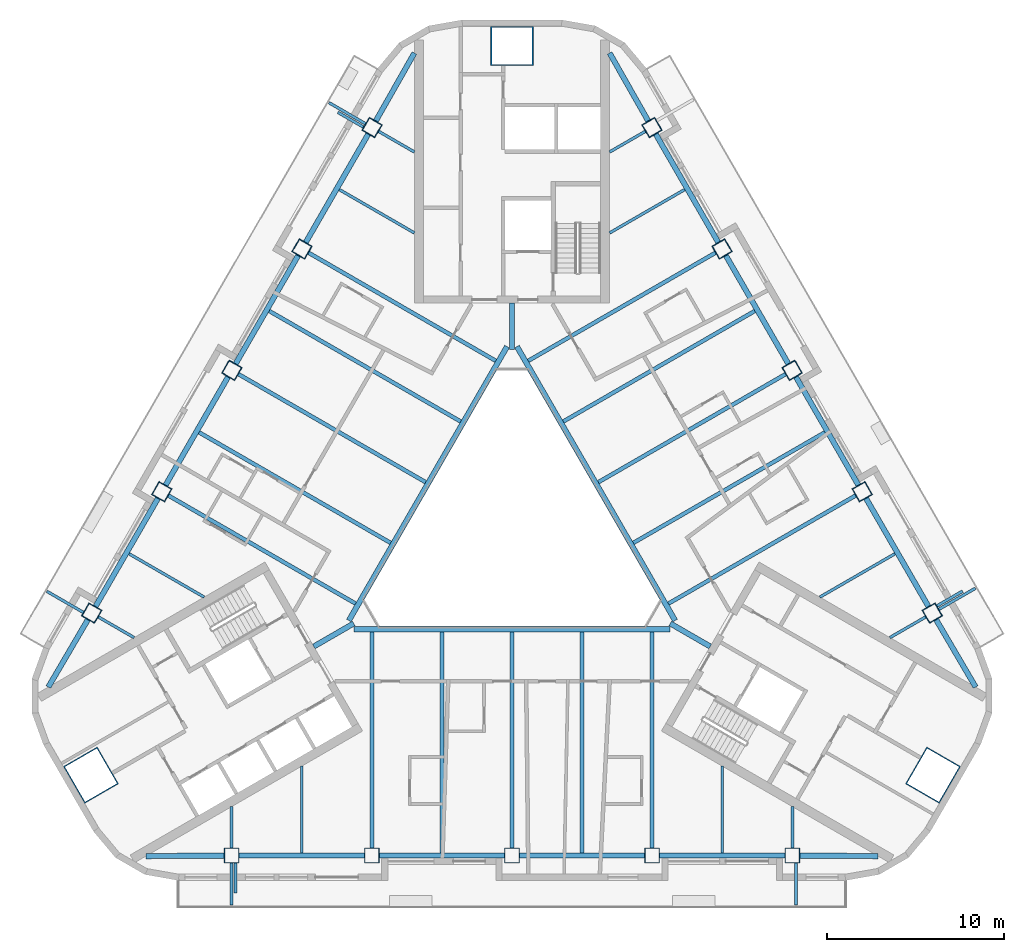
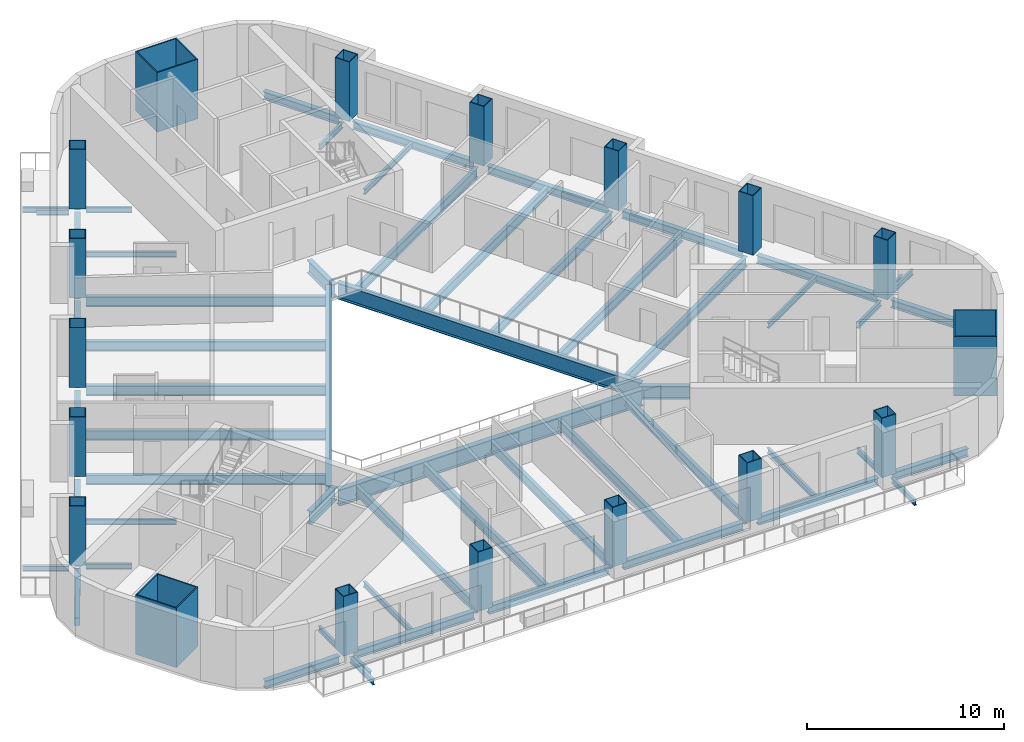
# One storey, part 1 of 14: 59 beams, 18 columns.
"""IFC4 building model written with IfcOpenShell, lengths in metres."""

import ifcopenshell
import ifcopenshell.guid

model = None  # the IFC model being written
_history = None  # IfcOwnerHistory: only IFC2X3 demands one
_inside = {}  # id of a spatial element -> (the spatial element, [elements in it])
_under = {}  # id of a project, library or spatial element -> (it, [spatial elements below it])
_declared = {}  # id of a project -> (the project, [libraries it declares])
_typed = {}  # id of a type object -> (the type object, [elements of that type])
_made_of = {}  # id of a material, layer set ... -> (it, [elements and type objects made of it])


def new_model(schema):
    """Start an empty IFC model of exactly this schema.

    Asked for "IFC4X3", IfcOpenShell would pick the latest addendum, in which some entities
    have other attributes; the version numbers below select the first issue.
    IFC2X3 requires an IfcOwnerHistory on every rooted entity: one is made here for all.
    """
    global model, _history
    if schema == "IFC4X3":
        model = ifcopenshell.file(schema_version=(4, 3, 0, 0))
    else:
        model = ifcopenshell.file(schema=schema)
    _inside.clear()
    _under.clear()
    _declared.clear()
    _typed.clear()
    _made_of.clear()
    _history = None
    if model.schema == "IFC2X3":
        org = make("IfcOrganization", Name="unknown")
        user = make(
            "IfcPersonAndOrganization",
            ThePerson=make("IfcPerson", FamilyName="unknown"),
            TheOrganization=org,
        )
        app = make(
            "IfcApplication",
            ApplicationDeveloper=org,
            Version="unknown",
            ApplicationFullName="unknown",
            ApplicationIdentifier="unknown",
        )
        _history = make(
            "IfcOwnerHistory",
            OwningUser=user,
            OwningApplication=app,
            ChangeAction="ADDED",
            CreationDate=0,
        )
    return model


def make(cls, **values):
    """One entity of the class cls with the attributes given. An attribute that is None is left unset."""
    return model.create_entity(
        cls, **{name: value for name, value in values.items() if value is not None}
    )


def rooted(cls, **values):
    """An entity with a GlobalId (a new one), such as an element, a storey or a relation."""
    return make(cls, GlobalId=ifcopenshell.guid.new(), OwnerHistory=_history, **values)


def si_unit(unit_type, name, prefix=None):
    """IfcSIUnit, for example si_unit("LENGTHUNIT", "METRE", prefix="MILLI")."""
    return make("IfcSIUnit", UnitType=unit_type, Prefix=prefix, Name=name)


def assignment(units):
    """IfcUnitAssignment: the units of a project."""
    return None if units is None else make("IfcUnitAssignment", Units=units)


def point(xyz):
    """IfcCartesianPoint."""
    return None if xyz is None else make("IfcCartesianPoint", Coordinates=xyz)


def direction(xyz):
    """IfcDirection."""
    return None if xyz is None else make("IfcDirection", DirectionRatios=xyz)


def frame(location, z_axis=None, x_axis=None):
    """IfcAxis2Placement3D, a coordinate frame: its origin and axes. An axis left out is left unset."""
    return make(
        "IfcAxis2Placement3D",
        Location=point(location),
        Axis=direction(z_axis),
        RefDirection=direction(x_axis),
    )


def frame_2d(location, x_axis=None):
    """IfcAxis2Placement2D, a coordinate frame in the plane: its origin and x axis."""
    return make(
        "IfcAxis2Placement2D", Location=point(location), RefDirection=direction(x_axis)
    )


def origin():
    """The frame at (0, 0, 0) with its axes left unset."""
    return frame((0.0, 0.0, 0.0))


def origin_2d():
    """The frame at (0, 0) in the plane with its x axis left unset."""
    return frame_2d((0.0, 0.0))


def place(relative_to, where):
    """IfcLocalPlacement: puts the frame where relative to a parent placement (None: the world)."""
    return make(
        "IfcLocalPlacement", PlacementRelTo=relative_to, RelativePlacement=where
    )


def context(
    kind, dimensions, precision=None, world=None, true_north=None, identifier=None
):
    """IfcGeometricRepresentationContext, for example the 3D "Model" context."""
    return make(
        "IfcGeometricRepresentationContext",
        ContextIdentifier=identifier,
        ContextType=kind,
        CoordinateSpaceDimension=dimensions,
        Precision=precision,
        WorldCoordinateSystem=world,
        TrueNorth=true_north,
    )


def subcontext(parent, identifier, kind, view, scale=None):
    """IfcGeometricRepresentationSubContext, for example "Body" below "Model"."""
    return make(
        "IfcGeometricRepresentationSubContext",
        ContextIdentifier=identifier,
        ContextType=kind,
        ParentContext=parent,
        TargetScale=scale,
        TargetView=view,
    )


def project(units=None, contexts=None):
    """IfcProject with its units and contexts."""
    return rooted(
        "IfcProject",
        Name="project",
        RepresentationContexts=contexts,
        UnitsInContext=assignment(units),
    )


def spatial(cls, under=None, at=None, **own):
    """A site, building, storey or space (cls), placed at a placement, below another one or the project."""
    s = rooted(cls, ObjectPlacement=at, **own)
    if under is not None:
        _under.setdefault(under.id(), (under, []))[1].append(s)
    return s


def profile(cls, at=None, kind="AREA", **sizes):
    """A parametric profile (cls). Its sizes go by their IFC names, for example OverallWidth=200.0."""
    return make(cls, ProfileType=kind, Position=at, **sizes)


def rectangle(**sizes):
    """IfcRectangleProfileDef."""
    return profile("IfcRectangleProfileDef", **sizes)


def hollow_rectangle(**sizes):
    """IfcRectangleHollowProfileDef."""
    return profile("IfcRectangleHollowProfileDef", **sizes)


def i_section(**sizes):
    """IfcIShapeProfileDef."""
    return profile("IfcIShapeProfileDef", **sizes)


def extrude(swept, where, along, depth):
    """IfcExtrudedAreaSolid: the profile swept, set in the frame where, extruded along a direction by depth."""
    return make(
        "IfcExtrudedAreaSolid",
        SweptArea=swept,
        Position=where,
        ExtrudedDirection=direction(along),
        Depth=depth,
    )


def shape(context_of_items, identifier, shape_type, items):
    """IfcShapeRepresentation: the items that make up one representation, for example the "Body"."""
    return make(
        "IfcShapeRepresentation",
        ContextOfItems=context_of_items,
        RepresentationIdentifier=identifier,
        RepresentationType=shape_type,
        Items=items,
    )


def material(Name=None, Category=None):
    """IfcMaterial."""
    return make("IfcMaterial", Name=Name, Category=Category)


def material_profile(
    of_material, cross_section, Name=None, Category=None, Priority=None
):
    """IfcMaterialProfile: a cross section and its material."""
    return make(
        "IfcMaterialProfile",
        Name=Name,
        Material=of_material,
        Profile=cross_section,
        Priority=Priority,
        Category=Category,
    )


def profile_set(profiles, Name=None, composite=None):
    """IfcMaterialProfileSet."""
    return make(
        "IfcMaterialProfileSet",
        Name=Name,
        MaterialProfiles=profiles,
        CompositeProfile=composite,
    )


def made_of(thing, what):
    """Note that an element or type object is made of a material, layer set ...; save() writes the relation."""
    if what is not None:
        _made_of.setdefault(what.id(), (what, []))[1].append(thing)
    return thing


def type_object(cls, material=None, **own):
    """A type object (cls), such as IfcWallType, which elements share."""
    return made_of(rooted(cls, **own), material)


def element(
    cls,
    number,
    at=None,
    inside=None,
    cuts=None,
    type_object=None,
    material=None,
    context=None,
    identifier="Body",
    shape_type=None,
    held_by="IfcProductDefinitionShape",
    body=None,
    shapes=None,
    **own,
):
    """One element of the class cls, such as IfcWall. Its Tag is "e" and its number.

    at: its placement. inside: the storey or other place that contains it. cuts: it is an
    opening in that element (IfcRelVoidsElement). A single representation is given by context,
    identifier, shape_type and body (its items); several are given by shapes. held_by: the class
    of the entity that holds the representations. save() writes the other relations.
    """
    e = rooted(cls, Tag="e%d" % number, ObjectPlacement=at, **own)
    if body is not None:
        shapes = [shape(context, identifier, shape_type, body)]
    if shapes is not None:
        e.Representation = make(held_by, Representations=shapes)
    if inside is not None:
        _inside.setdefault(inside.id(), (inside, []))[1].append(e)
    if cuts is not None:
        rooted(
            "IfcRelVoidsElement", RelatingBuildingElement=cuts, RelatedOpeningElement=e
        )
    if type_object is not None:
        _typed.setdefault(type_object.id(), (type_object, []))[1].append(e)
    return made_of(e, material)


def aggregate(whole, parts):
    """IfcRelAggregates: a whole, such as a stair, and the parts it consists of."""
    return rooted("IfcRelAggregates", RelatingObject=whole, RelatedObjects=parts)


def save(model, path):
    """Write the relations noted so far, then the file.

    IfcRelAggregates (storeys below a building ...), IfcRelContainedInSpatialStructure (elements
    in a storey), IfcRelDefinesByType, IfcRelAssociatesMaterial and IfcRelDeclares: one each for
    every whole, place, type object, material and project.
    """
    for whole, parts in _under.values():
        aggregate(whole, parts)
    for where, things in _inside.values():
        rooted(
            "IfcRelContainedInSpatialStructure",
            RelatedElements=things,
            RelatingStructure=where,
        )
    for kind, things in _typed.values():
        rooted("IfcRelDefinesByType", RelatedObjects=things, RelatingType=kind)
    for what, things in _made_of.values():
        rooted("IfcRelAssociatesMaterial", RelatedObjects=things, RelatingMaterial=what)
    for by, libraries in _declared.values():
        rooted("IfcRelDeclares", RelatingContext=by, RelatedDefinitions=libraries)
    model.write(path)


model = new_model("IFC4")

# Units and contexts
model_context = context("Model", 3, precision=1e-05, world=origin(), true_north=direction((0.0, 1.0)))
body_context = subcontext(model_context, "Body", "Model", "MODEL_VIEW")
ifc_project = project(units=[si_unit("LENGTHUNIT", "METRE"), si_unit("AREAUNIT", "SQUARE_METRE"), si_unit("VOLUMEUNIT", "CUBIC_METRE"), si_unit("PLANEANGLEUNIT", "RADIAN"), si_unit("MASSUNIT", "GRAM", prefix="KILO")], contexts=[model_context])

# Site, building, storey
site_placement = place(None, origin())
site = spatial("IfcSite", under=ifc_project, at=site_placement, CompositionType="ELEMENT")
building_placement = place(site_placement, origin())
building = spatial("IfcBuilding", under=site, at=building_placement, Name="Apuvela Tower Hotel", CompositionType="ELEMENT")
storey_placement = place(building_placement, frame((0.0, 0.0, 172.5)))
storey = spatial("IfcBuildingStorey", under=building, at=storey_placement, Name="L41", CompositionType="ELEMENT", Elevation=172.5)

# Columns
ifc_material_1 = material(Name="Steel S460", Category="steel")
ifc_material_profile_1 = material_profile(ifc_material_1, hollow_rectangle(XDim=2.39990234375, YDim=2.199951171875, WallThickness=0.06005859375, at=origin_2d()), Name="BOX 2400x2200x60")
ifc_material_2 = material(Name="Concrete C80/95", Category="concrete")
ifc_material_profile_2 = material_profile(ifc_material_2, rectangle(XDim=2.280029296875, YDim=2.080078125, at=origin_2d()), Name="Concrete C80/95 infill")
ifc_profile_set_1 = profile_set([ifc_material_profile_1, ifc_material_profile_2], Name="Steel S460")
column_type_1 = type_object("IfcColumnType", Name="STR-MC mega column BOX 2400x2200x60", PredefinedType="COLUMN", material=ifc_profile_set_1)
for number, where, z_axis, x_axis, name in (
    (1, (0.0, 27.39990234375, 0.0), (0.0, 0.0, 1.0), (1.0, 0.0, 0.0), "Mega column MC3 N"),
    (2, (-23.72900390625, -13.699951171875, 0.0), (0.0, 0.0, 1.0), (-0.5, 0.866025403784, 0.0), "Mega column MC3 SW"),
    (3, (23.72900390625, -13.699951171875, 0.0), (0.0, 0.0, 1.0), (0.5, 0.866025403784, 0.0), "Mega column MC3 SE"),
):
    element("IfcColumn", number, at=place(storey_placement, frame(where, z_axis=z_axis, x_axis=x_axis)), inside=storey, type_object=column_type_1, Name=name, PredefinedType="COLUMN", context=body_context, shape_type="SweptSolid", body=[
        extrude(hollow_rectangle(XDim=2.39990234375, YDim=2.199951171875, WallThickness=0.06005859375, at=origin_2d()), origin(), (0.0, 0.0, 1.0), 3.699951171875),
    ])
ifc_material_profile_3 = material_profile(ifc_material_1, hollow_rectangle(XDim=0.85009765625, YDim=0.85009765625, WallThickness=0.0400390625, at=origin_2d()), Name="BOX 850x850x40")
ifc_material_profile_4 = material_profile(ifc_material_2, rectangle(XDim=0.77001953125, YDim=0.77001953125, at=origin_2d()), Name="Concrete C80/95 infill")
ifc_profile_set_2 = profile_set([ifc_material_profile_3, ifc_material_profile_4], Name="Steel S460")
column_type_2 = type_object("IfcColumnType", Name="STR-PC perimeter column BOX 850x850x40", PredefinedType="COLUMN", material=ifc_profile_set_2)
for number, where, z_axis, x_axis, name in (
    (4, (-15.800048828125, -18.22998046875, 0.0), (0.0, 0.0, 1.0), (-1.0, 0.0, 0.0), "Perimeter column C4 S1"),
    (5, (-7.89990234375, -18.22998046875, 0.0), (0.0, 0.0, 1.0), (-1.0, 0.0, 0.0), "Perimeter column C4 S2"),
    (6, (0.0, -18.22998046875, 0.0), (0.0, 0.0, 1.0), (-1.0, 0.0, 0.0), "Perimeter column C4 S3"),
    (7, (7.89990234375, -18.22998046875, 0.0), (0.0, 0.0, 1.0), (-1.0, 0.0, 0.0), "Perimeter column C4 S4"),
    (8, (15.800048828125, -18.22998046875, 0.0), (0.0, 0.0, 1.0), (-1.0, 0.0, 0.0), "Perimeter column C4 S5"),
    (9, (23.6875, -4.568115234375, 0.0), (0.0, 0.0, 1.0), (-0.5, 0.866025403784, 0.0), "Perimeter column C4 NE1"),
    (10, (19.737548828125, 2.2734375, 0.0), (0.0, 0.0, 1.0), (-0.5, 0.866025403784, 0.0), "Perimeter column C4 NE2"),
    (11, (15.78759765625, 9.114990234375, 0.0), (0.0, 0.0, 1.0), (-0.5, 0.866025403784, 0.0), "Perimeter column C4 NE3"),
    (12, (11.837646484375, 15.95654296875, 0.0), (0.0, 0.0, 1.0), (-0.5, 0.866025403784, 0.0), "Perimeter column C4 NE4"),
    (13, (7.8876953125, 22.798095703125, 0.0), (0.0, 0.0, 1.0), (-0.5, 0.866025403784, 0.0), "Perimeter column C4 NE5"),
    (14, (-7.8876953125, 22.798095703125, 0.0), (0.0, 0.0, 1.0), (0.5, 0.866025403784, 0.0), "Perimeter column C4 NW1"),
    (15, (-11.837646484375, 15.95654296875, 0.0), (0.0, 0.0, 1.0), (0.5, 0.866025403784, 0.0), "Perimeter column C4 NW2"),
    (16, (-15.78759765625, 9.114990234375, 0.0), (0.0, 0.0, 1.0), (0.5, 0.866025403784, 0.0), "Perimeter column C4 NW3"),
    (17, (-19.737548828125, 2.2734375, 0.0), (0.0, 0.0, 1.0), (0.5, 0.866025403784, 0.0), "Perimeter column C4 NW4"),
    (18, (-23.6875, -4.568115234375, 0.0), (0.0, 0.0, 1.0), (0.5, 0.866025403784, 0.0), "Perimeter column C4 NW5"),
):
    element("IfcColumn", number, at=place(storey_placement, frame(where, z_axis=z_axis, x_axis=x_axis)), inside=storey, type_object=column_type_2, Name=name, PredefinedType="COLUMN", context=body_context, shape_type="SweptSolid", body=[
        extrude(hollow_rectangle(XDim=0.85009765625, YDim=0.85009765625, WallThickness=0.0400390625, at=origin_2d()), origin(), (0.0, 0.0, 1.0), 3.699951171875),
    ])

# Beams
ifc_material_3 = material(Name="Steel S355", Category="steel")
ifc_material_profile_5 = material_profile(ifc_material_3, i_section(OverallWidth=0.159912109375, OverallDepth=0.330078125, WebThickness=0.007568359375, FlangeThickness=0.011474609375, at=origin_2d()), Name="IPE 330")
ifc_profile_set_3 = profile_set([ifc_material_profile_5], Name="Steel S355")
beam_type_1 = type_object("IfcBeamType", Name="ENV-BALCONY-BEAM-IPE330", PredefinedType="BEAM", material=ifc_profile_set_3)
beam_1_placement = place(storey_placement, frame((-15.800048828125, -18.655029296875, -0.31494140625), z_axis=(0.0, -1.0, 0.0), x_axis=(1.0, 0.0, 0.0)))
element("IfcBeam", 19, at=beam_1_placement, inside=storey, type_object=beam_type_1, Name="Balcony cantilever beam S1 L41", PredefinedType="BEAM", context=body_context, shape_type="SweptSolid", body=[
    extrude(i_section(OverallWidth=0.159912109375, OverallDepth=0.330078125, WebThickness=0.007568359375, FlangeThickness=0.011474609375, at=origin_2d()), origin(), (0.0, 0.0, 1.0), 2.375),
])
beam_2_placement = place(storey_placement, frame((-15.580078125, -18.655029296875, -0.31494140625), z_axis=(0.0, -1.0, 0.0), x_axis=(1.0, 0.0, 0.0)))
element("IfcBeam", 20, at=beam_2_placement, inside=storey, type_object=beam_type_1, Name="Balcony cantilever beam S2 L41", PredefinedType="BEAM", context=body_context, shape_type="SweptSolid", body=[
    extrude(i_section(OverallWidth=0.159912109375, OverallDepth=0.330078125, WebThickness=0.007568359375, FlangeThickness=0.011474609375, at=origin_2d()), origin(), (0.0, 0.0, 1.0), 1.675048828125),
])
for number, where, z_axis, x_axis, name in (
    (21, (16.0, -18.655029296875, -0.31494140625), (0.0, -1.0, 0.0), (1.0, 0.0, 0.0), "Balcony cantilever beam S3 L41"),
    (22, (24.0556640625, -4.355712890625, -0.31494140625), (0.866033238375, 0.499986429846, 0.0), (-0.499986429846, 0.866033238375, 0.0), "Balcony cantilever beam NE1 L41"),
):
    element("IfcBeam", number, at=place(storey_placement, frame(where, z_axis=z_axis, x_axis=x_axis)), inside=storey, type_object=beam_type_1, Name=name, PredefinedType="BEAM", context=body_context, shape_type="SweptSolid", body=[
        extrude(i_section(OverallWidth=0.159912109375, OverallDepth=0.330078125, WebThickness=0.007568359375, FlangeThickness=0.011474609375, at=origin_2d()), origin(), (0.0, 0.0, 1.0), 2.375),
    ])
beam_3_placement = place(storey_placement, frame((23.94580078125, -4.165283203125, -0.31494140625), z_axis=(0.865964676353, 0.500105168249, 0.0), x_axis=(-0.500105168249, 0.865964676353, 0.0)))
element("IfcBeam", 23, at=beam_3_placement, inside=storey, type_object=beam_type_1, Name="Balcony cantilever beam NE2 L41", PredefinedType="BEAM", context=body_context, shape_type="SweptSolid", body=[
    extrude(i_section(OverallWidth=0.159912109375, OverallDepth=0.330078125, WebThickness=0.007568359375, FlangeThickness=0.011474609375, at=origin_2d()), origin(), (0.0, 0.0, 1.0), 1.675048828125),
])
beam_4_placement = place(storey_placement, frame((-8.255615234375, 23.0107421875, -0.31494140625), z_axis=(-0.866033238375, 0.499986429846, 0.0), x_axis=(-0.499986429846, -0.866033238375, 0.0)))
element("IfcBeam", 24, at=beam_4_placement, inside=storey, type_object=beam_type_1, Name="Balcony cantilever beam NW1 L41", PredefinedType="BEAM", context=body_context, shape_type="SweptSolid", body=[
    extrude(i_section(OverallWidth=0.159912109375, OverallDepth=0.330078125, WebThickness=0.007568359375, FlangeThickness=0.011474609375, at=origin_2d()), origin(), (0.0, 0.0, 1.0), 2.375),
])
beam_5_placement = place(storey_placement, frame((-8.36572265625, 22.8203125, -0.31494140625), z_axis=(-0.866064234506, 0.499932737185, 0.0), x_axis=(-0.499932737185, -0.866064234506, 0.0)))
element("IfcBeam", 25, at=beam_5_placement, inside=storey, type_object=beam_type_1, Name="Balcony cantilever beam NW2 L41", PredefinedType="BEAM", context=body_context, shape_type="SweptSolid", body=[
    extrude(i_section(OverallWidth=0.159912109375, OverallDepth=0.330078125, WebThickness=0.007568359375, FlangeThickness=0.011474609375, at=origin_2d()), origin(), (0.0, 0.0, 1.0), 1.675048828125),
])
beam_6_placement = place(storey_placement, frame((-24.15576171875, -4.52880859375, -0.31494140625), z_axis=(-0.866007538022, 0.500030943131, 0.0), x_axis=(-0.500030943131, -0.866007538022, 0.0)))
element("IfcBeam", 26, at=beam_6_placement, inside=storey, type_object=beam_type_1, Name="Balcony cantilever beam NW3 L41", PredefinedType="BEAM", context=body_context, shape_type="SweptSolid", body=[
    extrude(i_section(OverallWidth=0.159912109375, OverallDepth=0.330078125, WebThickness=0.007568359375, FlangeThickness=0.011474609375, at=origin_2d()), origin(), (0.0, 0.0, 1.0), 2.374755859375),
])
ifc_material_profile_6 = material_profile(ifc_material_3, i_section(OverallWidth=0.159912109375, OverallDepth=0.330078125, WebThickness=0.007568359375, FlangeThickness=0.011474609375, at=origin_2d()), Name="IPE 330")
ifc_profile_set_4 = profile_set([ifc_material_profile_6], Name="Steel S355")
beam_type_2 = type_object("IfcBeamType", Name="STR-B floor beam IPE 330", PredefinedType="BEAM", material=ifc_profile_set_4)
beam_7_placement = place(storey_placement, frame((23.319580078125, -4.78076171875, -0.31494140625), z_axis=(-0.866018215049, -0.500012451049, 0.0), x_axis=(0.500012451049, -0.866018215049, 0.0)))
element("IfcBeam", 27, at=beam_7_placement, inside=storey, type_object=beam_type_2, Name="Floor beam B1 NE1", PredefinedType="BEAM", context=body_context, shape_type="SweptSolid", body=[
    extrude(i_section(OverallWidth=0.159912109375, OverallDepth=0.330078125, WebThickness=0.007568359375, FlangeThickness=0.011474609375, at=origin_2d()), origin(), (0.0, 0.0, 1.0), 2.33203125),
])
for number, where, z_axis, x_axis, name in (
    (28, (21.582763671875, -1.222412109375, -0.31494140625), (-0.866015056278, -0.500017921979, 0.0), (0.500017921979, -0.866015056278, 0.0), "Floor beam B1 NE2"),
    (29, (9.732666015625, 19.302490234375, -0.31494140625), (-0.866015056278, -0.500017921979, 0.0), (0.500017921979, -0.866015056278, 0.0), "Floor beam B1 NE8"),
):
    element("IfcBeam", number, at=place(storey_placement, frame(where, z_axis=z_axis, x_axis=x_axis)), inside=storey, type_object=beam_type_2, Name=name, PredefinedType="BEAM", context=body_context, shape_type="SweptSolid", body=[
        extrude(i_section(OverallWidth=0.159912109375, OverallDepth=0.330078125, WebThickness=0.007568359375, FlangeThickness=0.011474609375, at=origin_2d()), origin(), (0.0, 0.0, 1.0), 4.887451171875),
    ])
for number, where, z_axis, x_axis, name in (
    (30, (7.51953125, 22.585693359375, -0.31494140625), (-0.866018215049, -0.500012451049, 0.0), (0.500012451049, -0.866018215049, 0.0), "Floor beam B1 NE9"),
    (31, (-7.51953125, 22.585693359375, -0.31494140625), (0.866018215049, -0.500012451049, 0.0), (0.500012451049, 0.866018215049, 0.0), "Floor beam B1 NW1"),
):
    element("IfcBeam", number, at=place(storey_placement, frame(where, z_axis=z_axis, x_axis=x_axis)), inside=storey, type_object=beam_type_2, Name=name, PredefinedType="BEAM", context=body_context, shape_type="SweptSolid", body=[
        extrude(i_section(OverallWidth=0.159912109375, OverallDepth=0.330078125, WebThickness=0.007568359375, FlangeThickness=0.011474609375, at=origin_2d()), origin(), (0.0, 0.0, 1.0), 2.33203125),
    ])
for number, where, z_axis, x_axis, name in (
    (32, (-9.732666015625, 19.302490234375, -0.31494140625), (0.866015056278, -0.500017921979, 0.0), (0.500017921979, 0.866015056278, 0.0), "Floor beam B1 NW2"),
    (33, (-21.582763671875, -1.222412109375, -0.31494140625), (0.866015056278, -0.500017921979, 0.0), (0.500017921979, 0.866015056278, 0.0), "Floor beam B1 NW8"),
):
    element("IfcBeam", number, at=place(storey_placement, frame(where, z_axis=z_axis, x_axis=x_axis)), inside=storey, type_object=beam_type_2, Name=name, PredefinedType="BEAM", context=body_context, shape_type="SweptSolid", body=[
        extrude(i_section(OverallWidth=0.159912109375, OverallDepth=0.330078125, WebThickness=0.007568359375, FlangeThickness=0.011474609375, at=origin_2d()), origin(), (0.0, 0.0, 1.0), 4.887451171875),
    ])
for number, where, z_axis, x_axis, name in (
    (34, (-23.319580078125, -4.78076171875, -0.31494140625), (0.866018215049, -0.500012451049, 0.0), (0.500012451049, 0.866018215049, 0.0), "Floor beam B1 NW9"),
    (35, (-15.800048828125, -17.804931640625, -0.31494140625), (0.0, 1.0, 0.0), (-1.0, 0.0, 0.0), "Floor beam B1 S1"),
):
    element("IfcBeam", number, at=place(storey_placement, frame(where, z_axis=z_axis, x_axis=x_axis)), inside=storey, type_object=beam_type_2, Name=name, PredefinedType="BEAM", context=body_context, shape_type="SweptSolid", body=[
        extrude(i_section(OverallWidth=0.159912109375, OverallDepth=0.330078125, WebThickness=0.007568359375, FlangeThickness=0.011474609375, at=origin_2d()), origin(), (0.0, 0.0, 1.0), 2.33203125),
    ])
for number, where, z_axis, x_axis, name in (
    (36, (-11.85009765625, -18.080078125, -0.31494140625), (0.0, 1.0, 0.0), (-1.0, 0.0, 0.0), "Floor beam B1 S2"),
    (37, (11.85009765625, -18.080078125, -0.31494140625), (0.0, 1.0, 0.0), (-1.0, 0.0, 0.0), "Floor beam B1 S8"),
):
    element("IfcBeam", number, at=place(storey_placement, frame(where, z_axis=z_axis, x_axis=x_axis)), inside=storey, type_object=beam_type_2, Name=name, PredefinedType="BEAM", context=body_context, shape_type="SweptSolid", body=[
        extrude(i_section(OverallWidth=0.159912109375, OverallDepth=0.330078125, WebThickness=0.007568359375, FlangeThickness=0.011474609375, at=origin_2d()), origin(), (0.0, 0.0, 1.0), 4.8876953125),
    ])
beam_8_placement = place(storey_placement, frame((15.800048828125, -17.804931640625, -0.31494140625), z_axis=(0.0, 1.0, 0.0), x_axis=(-1.0, 0.0, 0.0)))
element("IfcBeam", 38, at=beam_8_placement, inside=storey, type_object=beam_type_2, Name="Floor beam B1 S9", PredefinedType="BEAM", context=body_context, shape_type="SweptSolid", body=[
    extrude(i_section(OverallWidth=0.159912109375, OverallDepth=0.330078125, WebThickness=0.007568359375, FlangeThickness=0.011474609375, at=origin_2d()), origin(), (0.0, 0.0, 1.0), 2.33203125),
])
ifc_material_profile_7 = material_profile(ifc_material_3, i_section(OverallWidth=0.219970703125, OverallDepth=0.60009765625, WebThickness=0.011962890625, FlangeThickness=0.01904296875, at=origin_2d()), Name="IPE 600")
ifc_profile_set_5 = profile_set([ifc_material_profile_7], Name="Steel S355")
beam_type_3 = type_object("IfcBeamType", Name="STR-B floor beam IPE 600", PredefinedType="BEAM", material=ifc_profile_set_5)
beam_9_placement = place(storey_placement, frame((19.36962890625, 2.060791015625, -0.449951171875), z_axis=(-0.866032437209, -0.499987817553, 0.0), x_axis=(0.499987817553, -0.866032437209, 0.0)))
element("IfcBeam", 39, at=beam_9_placement, inside=storey, type_object=beam_type_3, Name="Floor beam B8 NE3", PredefinedType="BEAM", context=body_context, shape_type="SweptSolid", body=[
    extrude(i_section(OverallWidth=0.219970703125, OverallDepth=0.60009765625, WebThickness=0.011962890625, FlangeThickness=0.01904296875, at=origin_2d()), origin(), (0.0, 0.0, 1.0), 12.184814453125),
])
beam_10_placement = place(storey_placement, frame((17.6328125, 5.619140625, -0.449951171875), z_axis=(-0.866027987673, -0.499995524547, 0.0), x_axis=(0.499995524547, -0.866027987673, 0.0)))
element("IfcBeam", 40, at=beam_10_placement, inside=storey, type_object=beam_type_3, Name="Floor beam B8 NE4", PredefinedType="BEAM", context=body_context, shape_type="SweptSolid", body=[
    extrude(i_section(OverallWidth=0.219970703125, OverallDepth=0.60009765625, WebThickness=0.011962890625, FlangeThickness=0.01904296875, at=origin_2d()), origin(), (0.0, 0.0, 1.0), 12.4599609375),
])
beam_11_placement = place(storey_placement, frame((15.419677734375, 8.902587890625, -0.449951171875), z_axis=(-0.8660237613, -0.500002844856, 0.0), x_axis=(0.500002844856, -0.8660237613, 0.0)))
element("IfcBeam", 41, at=beam_11_placement, inside=storey, type_object=beam_type_3, Name="Floor beam B8 NE5", PredefinedType="BEAM", context=body_context, shape_type="SweptSolid", body=[
    extrude(i_section(OverallWidth=0.219970703125, OverallDepth=0.60009765625, WebThickness=0.011962890625, FlangeThickness=0.01904296875, at=origin_2d()), origin(), (0.0, 0.0, 1.0), 12.18505859375),
])
beam_12_placement = place(storey_placement, frame((13.6826171875, 12.460693359375, -0.449951171875), z_axis=(-0.866023089177, -0.500004008996, 0.0), x_axis=(0.500004008996, -0.866023089177, 0.0)))
element("IfcBeam", 42, at=beam_12_placement, inside=storey, type_object=beam_type_3, Name="Floor beam B8 NE6", PredefinedType="BEAM", context=body_context, shape_type="SweptSolid", body=[
    extrude(i_section(OverallWidth=0.219970703125, OverallDepth=0.60009765625, WebThickness=0.011962890625, FlangeThickness=0.01904296875, at=origin_2d()), origin(), (0.0, 0.0, 1.0), 12.4599609375),
])
for number, where, z_axis, x_axis, name in (
    (43, (11.469482421875, 15.744140625, -0.449951171875), (-0.8660237613, -0.500002844856, 0.0), (0.500002844856, -0.8660237613, 0.0), "Floor beam B8 NE7"),
    (44, (-11.469482421875, 15.744140625, -0.449951171875), (0.8660237613, -0.500002844856, 0.0), (0.500002844856, 0.8660237613, 0.0), "Floor beam B8 NW3"),
):
    element("IfcBeam", number, at=place(storey_placement, frame(where, z_axis=z_axis, x_axis=x_axis)), inside=storey, type_object=beam_type_3, Name=name, PredefinedType="BEAM", context=body_context, shape_type="SweptSolid", body=[
        extrude(i_section(OverallWidth=0.219970703125, OverallDepth=0.60009765625, WebThickness=0.011962890625, FlangeThickness=0.01904296875, at=origin_2d()), origin(), (0.0, 0.0, 1.0), 12.18505859375),
    ])
beam_13_placement = place(storey_placement, frame((-13.6826171875, 12.460693359375, -0.449951171875), z_axis=(0.866023089177, -0.500004008996, 0.0), x_axis=(0.500004008996, 0.866023089177, 0.0)))
element("IfcBeam", 45, at=beam_13_placement, inside=storey, type_object=beam_type_3, Name="Floor beam B8 NW4", PredefinedType="BEAM", context=body_context, shape_type="SweptSolid", body=[
    extrude(i_section(OverallWidth=0.219970703125, OverallDepth=0.60009765625, WebThickness=0.011962890625, FlangeThickness=0.01904296875, at=origin_2d()), origin(), (0.0, 0.0, 1.0), 12.4599609375),
])
beam_14_placement = place(storey_placement, frame((-15.419677734375, 8.902587890625, -0.449951171875), z_axis=(0.8660237613, -0.500002844856, 0.0), x_axis=(0.500002844856, 0.8660237613, 0.0)))
element("IfcBeam", 46, at=beam_14_placement, inside=storey, type_object=beam_type_3, Name="Floor beam B8 NW5", PredefinedType="BEAM", context=body_context, shape_type="SweptSolid", body=[
    extrude(i_section(OverallWidth=0.219970703125, OverallDepth=0.60009765625, WebThickness=0.011962890625, FlangeThickness=0.01904296875, at=origin_2d()), origin(), (0.0, 0.0, 1.0), 12.18505859375),
])
beam_15_placement = place(storey_placement, frame((-17.6328125, 5.619140625, -0.449951171875), z_axis=(0.866027987673, -0.499995524547, 0.0), x_axis=(0.499995524547, 0.866027987673, 0.0)))
element("IfcBeam", 47, at=beam_15_placement, inside=storey, type_object=beam_type_3, Name="Floor beam B8 NW6", PredefinedType="BEAM", context=body_context, shape_type="SweptSolid", body=[
    extrude(i_section(OverallWidth=0.219970703125, OverallDepth=0.60009765625, WebThickness=0.011962890625, FlangeThickness=0.01904296875, at=origin_2d()), origin(), (0.0, 0.0, 1.0), 12.4599609375),
])
for number, where, z_axis, x_axis, name in (
    (48, (-19.36962890625, 2.060791015625, -0.449951171875), (0.866032437209, -0.499987817553, 0.0), (0.499987817553, 0.866032437209, 0.0), "Floor beam B8 NW7"),
    (49, (-7.89990234375, -17.804931640625, -0.449951171875), (0.0, 1.0, 0.0), (-1.0, 0.0, 0.0), "Floor beam B8 S3"),
):
    element("IfcBeam", number, at=place(storey_placement, frame(where, z_axis=z_axis, x_axis=x_axis)), inside=storey, type_object=beam_type_3, Name=name, PredefinedType="BEAM", context=body_context, shape_type="SweptSolid", body=[
        extrude(i_section(OverallWidth=0.219970703125, OverallDepth=0.60009765625, WebThickness=0.011962890625, FlangeThickness=0.01904296875, at=origin_2d()), origin(), (0.0, 0.0, 1.0), 12.184814453125),
    ])
beam_16_placement = place(storey_placement, frame((-3.949951171875, -18.080078125, -0.449951171875), z_axis=(0.0, 1.0, 0.0), x_axis=(-1.0, 0.0, 0.0)))
element("IfcBeam", 50, at=beam_16_placement, inside=storey, type_object=beam_type_3, Name="Floor beam B8 S4", PredefinedType="BEAM", context=body_context, shape_type="SweptSolid", body=[
    extrude(i_section(OverallWidth=0.219970703125, OverallDepth=0.60009765625, WebThickness=0.011962890625, FlangeThickness=0.01904296875, at=origin_2d()), origin(), (0.0, 0.0, 1.0), 12.4599609375),
])
beam_17_placement = place(storey_placement, frame((0.0, -17.804931640625, -0.449951171875), z_axis=(0.0, 1.0, 0.0), x_axis=(-1.0, 0.0, 0.0)))
element("IfcBeam", 51, at=beam_17_placement, inside=storey, type_object=beam_type_3, Name="Floor beam B8 S5", PredefinedType="BEAM", context=body_context, shape_type="SweptSolid", body=[
    extrude(i_section(OverallWidth=0.219970703125, OverallDepth=0.60009765625, WebThickness=0.011962890625, FlangeThickness=0.01904296875, at=origin_2d()), origin(), (0.0, 0.0, 1.0), 12.184814453125),
])
beam_18_placement = place(storey_placement, frame((3.949951171875, -18.080078125, -0.449951171875), z_axis=(0.0, 1.0, 0.0), x_axis=(-1.0, 0.0, 0.0)))
element("IfcBeam", 52, at=beam_18_placement, inside=storey, type_object=beam_type_3, Name="Floor beam B8 S6", PredefinedType="BEAM", context=body_context, shape_type="SweptSolid", body=[
    extrude(i_section(OverallWidth=0.219970703125, OverallDepth=0.60009765625, WebThickness=0.011962890625, FlangeThickness=0.01904296875, at=origin_2d()), origin(), (0.0, 0.0, 1.0), 12.4599609375),
])
beam_19_placement = place(storey_placement, frame((7.89990234375, -17.804931640625, -0.449951171875), z_axis=(0.0, 1.0, 0.0), x_axis=(-1.0, 0.0, 0.0)))
element("IfcBeam", 53, at=beam_19_placement, inside=storey, type_object=beam_type_3, Name="Floor beam B8 S7", PredefinedType="BEAM", context=body_context, shape_type="SweptSolid", body=[
    extrude(i_section(OverallWidth=0.219970703125, OverallDepth=0.60009765625, WebThickness=0.011962890625, FlangeThickness=0.01904296875, at=origin_2d()), origin(), (0.0, 0.0, 1.0), 12.184814453125),
])
ifc_material_profile_8 = material_profile(ifc_material_3, i_section(OverallWidth=0.300048828125, OverallDepth=1.0, WebThickness=0.01904296875, FlangeThickness=0.035888671875, at=origin_2d()), Name="HE 1000 B")
ifc_profile_set_6 = profile_set([ifc_material_profile_8], Name="Steel S355")
beam_type_4 = type_object("IfcBeamType", Name="STR-G atrium ring girder HE 1000 B", PredefinedType="BEAM", material=ifc_profile_set_6)
beam_20_placement = place(storey_placement, frame((-0.27978515625, 10.455078125, -0.64990234375), z_axis=(-0.500006541319, -0.866021627119, 0.0), x_axis=(0.866021627119, -0.500006541319, 0.0)))
element("IfcBeam", 54, at=beam_20_placement, inside=storey, type_object=beam_type_4, Name="Atrium ring girder G2 N-SW", PredefinedType="BEAM", context=body_context, shape_type="SweptSolid", body=[
    extrude(i_section(OverallWidth=0.300048828125, OverallDepth=1.0, WebThickness=0.01904296875, FlangeThickness=0.035888671875, at=origin_2d()), origin(), (0.0, 0.0, 1.0), 17.828857421875),
])
beam_21_placement = place(storey_placement, frame((-8.91455078125, -5.469970703125, -0.64990234375), z_axis=(1.0, 0.0, 0.0), x_axis=(0.0, 1.0, 0.0)))
element("IfcBeam", 55, at=beam_21_placement, inside=storey, type_object=beam_type_4, Name="Atrium ring girder G2 SW-SE", PredefinedType="BEAM", context=body_context, shape_type="SweptSolid", body=[
    extrude(i_section(OverallWidth=0.300048828125, OverallDepth=1.0, WebThickness=0.01904296875, FlangeThickness=0.035888671875, at=origin_2d()), origin(), (0.0, 0.0, 1.0), 17.8291015625),
])
beam_22_placement = place(storey_placement, frame((9.1943359375, -4.985107421875, -0.64990234375), z_axis=(-0.500006541319, 0.866021627119, 0.0), x_axis=(-0.866021627119, -0.500006541319, 0.0)))
element("IfcBeam", 56, at=beam_22_placement, inside=storey, type_object=beam_type_4, Name="Atrium ring girder G2 SE-N", PredefinedType="BEAM", context=body_context, shape_type="SweptSolid", body=[
    extrude(i_section(OverallWidth=0.300048828125, OverallDepth=1.0, WebThickness=0.01904296875, FlangeThickness=0.035888671875, at=origin_2d()), origin(), (0.0, 0.0, 1.0), 17.828857421875),
])
ifc_material_profile_9 = material_profile(ifc_material_3, i_section(OverallWidth=0.300048828125, OverallDepth=0.800048828125, WebThickness=0.017578125, FlangeThickness=0.032958984375, at=origin_2d()), Name="HE 800 B")
ifc_profile_set_7 = profile_set([ifc_material_profile_9], Name="Steel S355")
beam_type_5 = type_object("IfcBeamType", Name="STR-GT core tie beam HE 800 B", PredefinedType="BEAM", material=ifc_profile_set_7)
for number, where, z_axis, x_axis, name in (
    (57, (0.0, 12.89990234375, -0.550048828125), (0.0, -1.0, 0.0), (1.0, 0.0, 0.0), "Core tie beam GT1 N"),
    (58, (-11.171630859375, -6.449951171875, -0.550048828125), (0.865997922154, 0.500047596559, 0.0), (-0.500047596559, 0.865997922154, 0.0), "Core tie beam GT1 SW"),
    (59, (11.171630859375, -6.449951171875, -0.550048828125), (-0.865997922154, 0.500047596559, 0.0), (-0.500047596559, -0.865997922154, 0.0), "Core tie beam GT1 SE"),
):
    element("IfcBeam", number, at=place(storey_placement, frame(where, z_axis=z_axis, x_axis=x_axis)), inside=storey, type_object=beam_type_5, Name=name, PredefinedType="BEAM", context=body_context, shape_type="SweptSolid", body=[
        extrude(i_section(OverallWidth=0.300048828125, OverallDepth=0.800048828125, WebThickness=0.017578125, FlangeThickness=0.032958984375, at=origin_2d()), origin(), (0.0, 0.0, 1.0), 2.599853515625),
    ])
ifc_material_profile_10 = material_profile(ifc_material_3, i_section(OverallWidth=0.300048828125, OverallDepth=0.489990234375, WebThickness=0.011962890625, FlangeThickness=0.02294921875, at=origin_2d()), Name="HE 500 A")
ifc_profile_set_8 = profile_set([ifc_material_profile_10], Name="Steel S355")
beam_type_6 = type_object("IfcBeamType", Name="STR-SB spandrel beam HE 500 A", PredefinedType="SPANDREL", material=ifc_profile_set_8)
for number, where, z_axis, x_axis, name in (
    (60, (-15.375, -18.22998046875, -0.39501953125), (1.0, 0.0, 0.0), (0.0, 1.0, 0.0), "Spandrel beam SB3 S1"),
    (61, (-7.47509765625, -18.22998046875, -0.39501953125), (1.0, 0.0, 0.0), (0.0, 1.0, 0.0), "Spandrel beam SB3 S2"),
    (62, (0.425048828125, -18.22998046875, -0.39501953125), (1.0, 0.0, 0.0), (0.0, 1.0, 0.0), "Spandrel beam SB3 S3"),
    (63, (8.324951171875, -18.22998046875, -0.39501953125), (1.0, 0.0, 0.0), (0.0, 1.0, 0.0), "Spandrel beam SB3 S4"),
    (64, (23.47509765625, -4.2001953125, -0.39501953125), (-0.499990246421, 0.866031034943, 0.0), (-0.866031034943, -0.499990246421, 0.0), "Spandrel beam SB3 NE1"),
):
    element("IfcBeam", number, at=place(storey_placement, frame(where, z_axis=z_axis, x_axis=x_axis)), inside=storey, type_object=beam_type_6, Name=name, PredefinedType="SPANDREL", context=body_context, shape_type="SweptSolid", body=[
        extrude(i_section(OverallWidth=0.300048828125, OverallDepth=0.489990234375, WebThickness=0.011962890625, FlangeThickness=0.02294921875, at=origin_2d()), origin(), (0.0, 0.0, 1.0), 7.050048828125),
    ])
for number, where, z_axis, x_axis, name in (
    (65, (19.525146484375, 2.6416015625, -0.39501953125), (-0.500031214443, 0.866007381368, 0.0), (-0.866007381368, -0.500031214443, 0.0), "Spandrel beam SB3 NE2"),
    (66, (15.5751953125, 9.483154296875, -0.39501953125), (-0.500031214443, 0.866007381368, 0.0), (-0.866007381368, -0.500031214443, 0.0), "Spandrel beam SB3 NE3"),
):
    element("IfcBeam", number, at=place(storey_placement, frame(where, z_axis=z_axis, x_axis=x_axis)), inside=storey, type_object=beam_type_6, Name=name, PredefinedType="SPANDREL", context=body_context, shape_type="SweptSolid", body=[
        extrude(i_section(OverallWidth=0.300048828125, OverallDepth=0.489990234375, WebThickness=0.011962890625, FlangeThickness=0.02294921875, at=origin_2d()), origin(), (0.0, 0.0, 1.0), 7.0498046875),
    ])
for number, where, z_axis, x_axis, name in (
    (67, (11.625, 16.32470703125, -0.39501953125), (-0.499990246421, 0.866031034943, 0.0), (-0.866031034943, -0.499990246421, 0.0), "Spandrel beam SB3 NE4"),
    (68, (-8.10009765625, 22.43017578125, -0.39501953125), (-0.499990246421, -0.866031034943, 0.0), (0.866031034943, -0.499990246421, 0.0), "Spandrel beam SB3 NW1"),
):
    element("IfcBeam", number, at=place(storey_placement, frame(where, z_axis=z_axis, x_axis=x_axis)), inside=storey, type_object=beam_type_6, Name=name, PredefinedType="SPANDREL", context=body_context, shape_type="SweptSolid", body=[
        extrude(i_section(OverallWidth=0.300048828125, OverallDepth=0.489990234375, WebThickness=0.011962890625, FlangeThickness=0.02294921875, at=origin_2d()), origin(), (0.0, 0.0, 1.0), 7.050048828125),
    ])
for number, where, z_axis, x_axis, name in (
    (69, (-12.050048828125, 15.58837890625, -0.39501953125), (-0.500031214443, -0.866007381368, 0.0), (0.866007381368, -0.500031214443, 0.0), "Spandrel beam SB3 NW2"),
    (70, (-16.0, 8.746826171875, -0.39501953125), (-0.500031214443, -0.866007381368, 0.0), (0.866007381368, -0.500031214443, 0.0), "Spandrel beam SB3 NW3"),
):
    element("IfcBeam", number, at=place(storey_placement, frame(where, z_axis=z_axis, x_axis=x_axis)), inside=storey, type_object=beam_type_6, Name=name, PredefinedType="SPANDREL", context=body_context, shape_type="SweptSolid", body=[
        extrude(i_section(OverallWidth=0.300048828125, OverallDepth=0.489990234375, WebThickness=0.011962890625, FlangeThickness=0.02294921875, at=origin_2d()), origin(), (0.0, 0.0, 1.0), 7.0498046875),
    ])
beam_23_placement = place(storey_placement, frame((-19.9501953125, 1.9052734375, -0.39501953125), z_axis=(-0.499990246421, -0.866031034943, 0.0), x_axis=(0.866031034943, -0.499990246421, 0.0)))
element("IfcBeam", 71, at=beam_23_placement, inside=storey, type_object=beam_type_6, Name="Spandrel beam SB3 NW4", PredefinedType="SPANDREL", context=body_context, shape_type="SweptSolid", body=[
    extrude(i_section(OverallWidth=0.300048828125, OverallDepth=0.489990234375, WebThickness=0.011962890625, FlangeThickness=0.02294921875, at=origin_2d()), origin(), (0.0, 0.0, 1.0), 7.050048828125),
])
for number, where, z_axis, x_axis, name in (
    (72, (-16.22509765625, -18.23291015625, -0.39501953125), (-0.999976414172, -0.006868122043, 0.0), (0.006868122043, -0.999976414172, 0.0), "Spandrel beam SB3 S1-SW"),
    (73, (16.22509765625, -18.23291015625, -0.39501953125), (0.999976414172, -0.006868122043, 0.0), (0.006868122043, 0.999976414172, 0.0), "Spandrel beam SB3 S5-SE"),
):
    element("IfcBeam", number, at=place(storey_placement, frame(where, z_axis=z_axis, x_axis=x_axis)), inside=storey, type_object=beam_type_6, Name=name, PredefinedType="SPANDREL", context=body_context, shape_type="SweptSolid", body=[
        extrude(i_section(OverallWidth=0.300048828125, OverallDepth=0.489990234375, WebThickness=0.011962890625, FlangeThickness=0.02294921875, at=origin_2d()), origin(), (0.0, 0.0, 1.0), 4.40771484375),
    ])
beam_24_placement = place(storey_placement, frame((23.902587890625, -4.934814453125, -0.39501953125), z_axis=(0.505966812052, -0.86255294626, 0.0), x_axis=(0.86255294626, 0.505966812052, 0.0)))
element("IfcBeam", 74, at=beam_24_placement, inside=storey, type_object=beam_type_6, Name="Spandrel beam SB3 NE1-SE", PredefinedType="SPANDREL", context=body_context, shape_type="SweptSolid", body=[
    extrude(i_section(OverallWidth=0.300048828125, OverallDepth=0.489990234375, WebThickness=0.011962890625, FlangeThickness=0.02294921875, at=origin_2d()), origin(), (0.0, 0.0, 1.0), 4.407958984375),
])
for number, where, z_axis, x_axis, name in (
    (75, (7.677734375, 23.167724609375, -0.39501953125), (-0.494061745322, 0.869426817972, 0.0), (-0.869426817972, -0.494061745322, 0.0), "Spandrel beam SB3 NE5-N"),
    (76, (-7.677734375, 23.167724609375, -0.39501953125), (0.494061745322, 0.869426817972, 0.0), (-0.869426817972, 0.494061745322, 0.0), "Spandrel beam SB3 NW1-N"),
):
    element("IfcBeam", number, at=place(storey_placement, frame(where, z_axis=z_axis, x_axis=x_axis)), inside=storey, type_object=beam_type_6, Name=name, PredefinedType="SPANDREL", context=body_context, shape_type="SweptSolid", body=[
        extrude(i_section(OverallWidth=0.300048828125, OverallDepth=0.489990234375, WebThickness=0.011962890625, FlangeThickness=0.02294921875, at=origin_2d()), origin(), (0.0, 0.0, 1.0), 4.40771484375),
    ])
beam_25_placement = place(storey_placement, frame((-23.902587890625, -4.934814453125, -0.39501953125), z_axis=(-0.505966812052, -0.86255294626, 0.0), x_axis=(0.86255294626, -0.505966812052, 0.0)))
element("IfcBeam", 77, at=beam_25_placement, inside=storey, type_object=beam_type_6, Name="Spandrel beam SB3 NW5-SW", PredefinedType="SPANDREL", context=body_context, shape_type="SweptSolid", body=[
    extrude(i_section(OverallWidth=0.300048828125, OverallDepth=0.489990234375, WebThickness=0.011962890625, FlangeThickness=0.02294921875, at=origin_2d()), origin(), (0.0, 0.0, 1.0), 4.407958984375),
])

save(model, "model.ifc")
